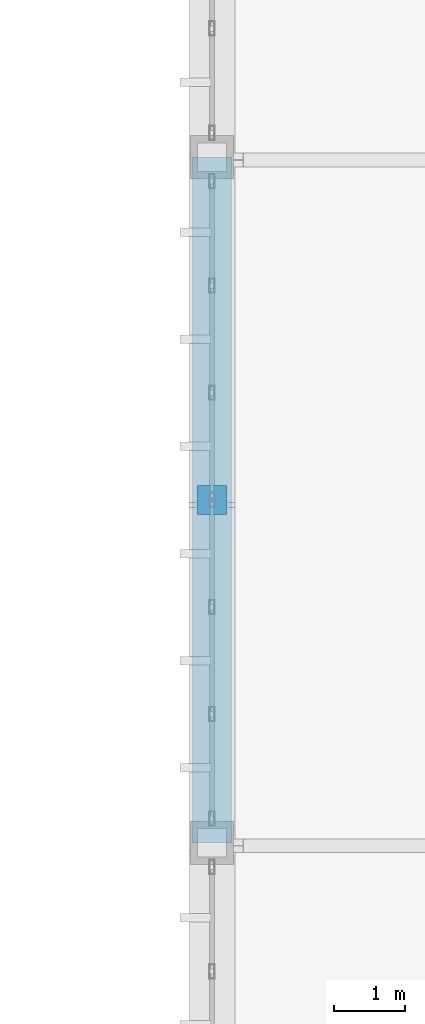
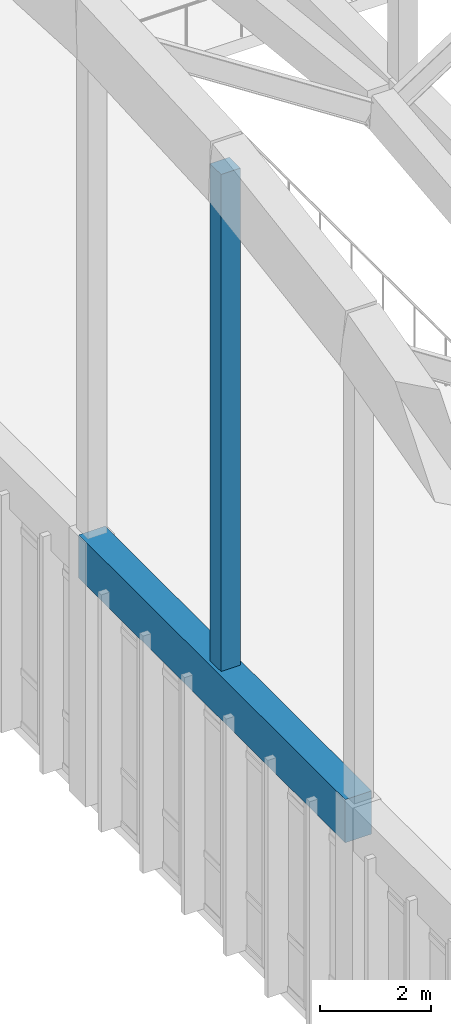
# One storey, part 40 of 236: 1 beam, 1 member.
"""IFC4 building model written with IfcOpenShell, lengths in metres."""

from ifc_helpers import new_model, si_unit, direction, frame, origin, origin_2d, place, context, subcontext, project, spatial, rectangle, extrude, material, material_profile, profile_set, type_object, element, save


model = new_model("IFC4")

# Units and contexts
model_context = context("Model", 3, precision=1e-05, world=origin(), true_north=direction((0.0, 1.0)))
body_context = subcontext(model_context, "Body", "Model", "MODEL_VIEW")
ifc_project = project(units=[si_unit("LENGTHUNIT", "METRE"), si_unit("AREAUNIT", "SQUARE_METRE"), si_unit("VOLUMEUNIT", "CUBIC_METRE"), si_unit("PLANEANGLEUNIT", "RADIAN"), si_unit("MASSUNIT", "GRAM", prefix="KILO")], contexts=[model_context])

# Site, building, storey
site_placement = place(None, origin())
site = spatial("IfcSite", under=ifc_project, at=site_placement, CompositionType="ELEMENT")
building_placement = place(site_placement, origin())
building = spatial("IfcBuilding", under=site, at=building_placement, Name="Pandanus Reach Market Hall", CompositionType="ELEMENT")
storey_placement = place(building_placement, frame((0.0, 0.0, 5.39990234375)))
storey = spatial("IfcBuildingStorey", under=building, at=storey_placement, Name="L01", CompositionType="ELEMENT", Elevation=5.39990234375)

# Member
ifc_material = material(Name="Concrete N50 (50 MPa)", Category="concrete")
ifc_material_profile_1 = material_profile(ifc_material, rectangle(XDim=0.39990234375, YDim=0.39990234375, at=origin_2d()), Name="RC400x400", Category="LoadBearing")
ifc_profile_set_1 = profile_set([ifc_material_profile_1], Name="Concrete N50 (50 MPa)")
member_type = type_object("IfcMemberType", Name="AR-WEB400-E", PredefinedType="STRUT", material=ifc_profile_set_1)
member_placement = place(storey_placement, frame((48.0, 52.800048828125, 5.3251953125), z_axis=(0.0, 0.0, 1.0), x_axis=(1.0, 0.0, 0.0)))
element("IfcMember", 1, at=member_placement, inside=storey, type_object=member_type, Name="Arch truss vertical web strut A1.5", PredefinedType="STRUT", context=body_context, shape_type="SweptSolid", body=[
    extrude(rectangle(XDim=0.39990234375, YDim=0.39990234375, at=origin_2d()), origin(), (0.0, 0.0, 1.0), 11.3994140625),
])

# Beam
ifc_material_profile_2 = material_profile(ifc_material, rectangle(XDim=0.550048828125, YDim=0.949951171875, at=origin_2d()), Name="RC550x950", Category="LoadBearing")
ifc_profile_set_2 = profile_set([ifc_material_profile_2], Name="Concrete N50 (50 MPa)")
beam_type = type_object("IfcBeamType", Name="BM-RC550-E", PredefinedType="BEAM", material=ifc_profile_set_2)
beam_placement = place(storey_placement, frame((48.0, 48.0, 5.3251953125), z_axis=(0.0, 1.0, 0.0), x_axis=(-1.0, 0.0, 0.0)))
element("IfcBeam", 2, at=beam_placement, inside=storey, type_object=beam_type, Name="Parabolic arch tie girder A1.3", PredefinedType="BEAM", context=body_context, shape_type="SweptSolid", body=[
    extrude(rectangle(XDim=0.550048828125, YDim=0.949951171875, at=origin_2d()), origin(), (0.0, 0.0, 1.0), 9.60009765625),
])

save(model, "model.ifc")
